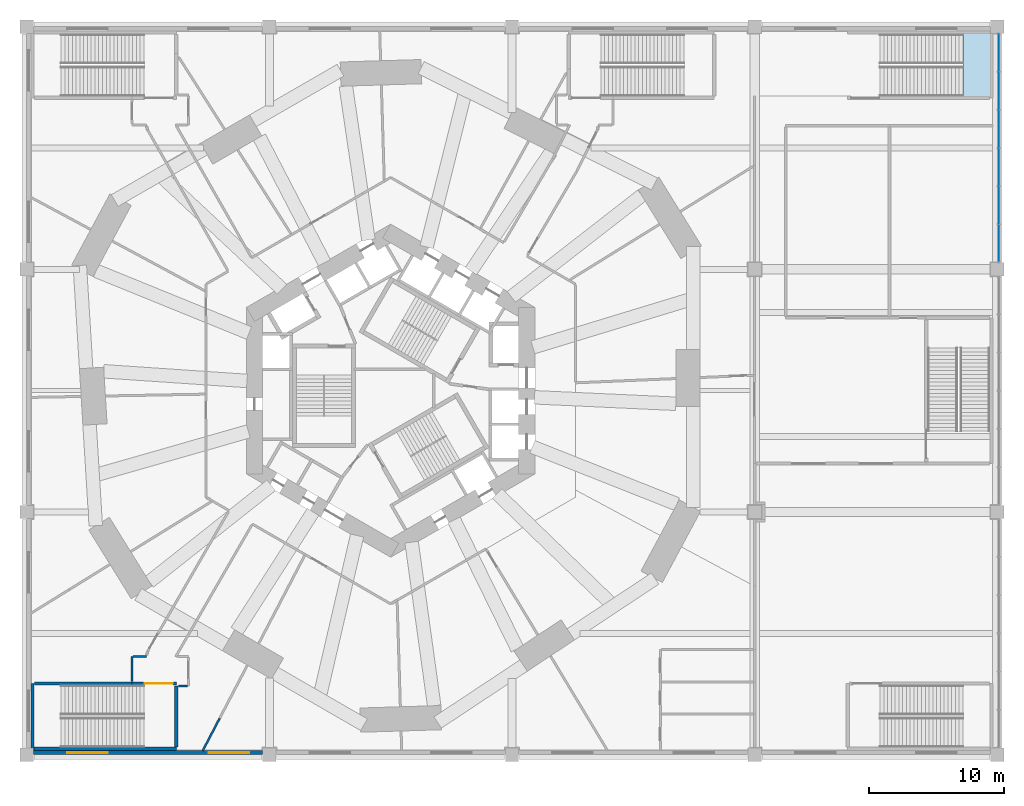
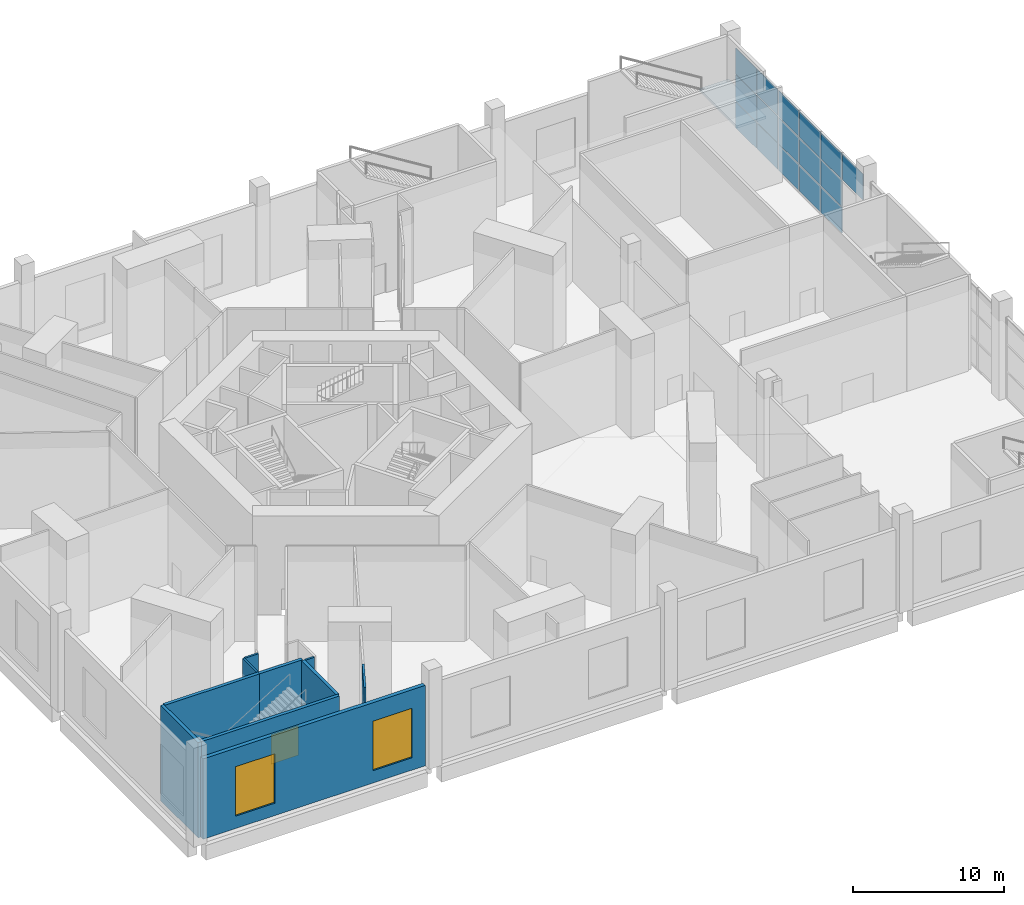
# One storey, part 5 of 15: 16 plates, 10 walls, 2 windows, 1 door, 1 slab, 3 openings, 2 elements without a shape of their own.
"""IFC4 building model written with IfcOpenShell, lengths in metres."""

from ifc_helpers import new_model, si_unit, direction, frame, frame_2d, origin, origin_2d, place, context, subcontext, project, spatial, polyline, rectangle, outline, extrude, material, layer, layer_set, type_object, element, fill, aggregate, save


model = new_model("IFC4")

# Units and contexts
model_context = context("Model", 3, precision=1e-05, world=origin(), true_north=direction((0.0, 1.0)))
body_context = subcontext(model_context, "Body", "Model", "MODEL_VIEW")
ifc_project = project(units=[si_unit("LENGTHUNIT", "METRE"), si_unit("AREAUNIT", "SQUARE_METRE"), si_unit("VOLUMEUNIT", "CUBIC_METRE"), si_unit("PLANEANGLEUNIT", "RADIAN"), si_unit("MASSUNIT", "GRAM", prefix="KILO")], contexts=[model_context])

# Site, building, storey
site_placement = place(None, origin())
site = spatial("IfcSite", under=ifc_project, at=site_placement, CompositionType="ELEMENT")
building_placement = place(site_placement, origin())
building = spatial("IfcBuilding", under=site, at=building_placement, Name="Vanh Sen Convention Tower", CompositionType="ELEMENT")
storey_placement = place(building_placement, frame((0.0, 0.0, 13.0)))
storey = spatial("IfcBuildingStorey", under=building, at=storey_placement, Name="L02", CompositionType="ELEMENT", Elevation=13.0)

# Curtain wall, plates
ifc_material_1 = material(Name="Aluminium structural glazing system", Category="aluminium")
curtain_wall_type = type_object("IfcCurtainWallType", Name="Podium hall structural glazing", PredefinedType="NOTDEFINED", material=ifc_material_1)
curtain_wall_placement = place(storey_placement, origin())
curtain_wall = element("IfcCurtainWall", 1, at=curtain_wall_placement, inside=storey, type_object=curtain_wall_type, Name="Podium hall glazing 3 L02", PredefinedType="NOTDEFINED")
ifc_material_2 = material(Name="Clear toughened safety glass", Category="glass")
ifc_layer_1 = layer(ifc_material_2, 0.031982421875)
ifc_layer_set_1 = layer_set([ifc_layer_1], Name="Clear toughened safety glass")
plate_type = type_object("IfcPlateType", Name="Hall glazing clear glass panel 32", PredefinedType="CURTAIN_PANEL", material=ifc_layer_set_1)
plate_1_placement = place(storey_placement, frame((45.110107421875, 10.93408203125, 4.43505859375), z_axis=(0.0, 0.0, 1.0), x_axis=(0.0, 1.0, 0.0)))
plate_1 = element("IfcPlate", 2, at=plate_1_placement, type_object=plate_type, Name="CW4 panel 1.3", PredefinedType="CURTAIN_PANEL", context=body_context, shape_type="SweptSolid", body=[
    extrude(rectangle(XDim=2.728271484375, YDim=0.031982421875, at=origin_2d()), origin(), (0.0, 0.0, 1.0), 2.094970703125),
])
plate_2_placement = place(storey_placement, frame((45.110107421875, 13.75, 0.06982421875), z_axis=(0.0, 0.0, 1.0), x_axis=(0.0, 1.0, 0.0)))
plate_2 = element("IfcPlate", 3, at=plate_2_placement, type_object=plate_type, Name="CW4 panel 2.1", PredefinedType="CURTAIN_PANEL", context=body_context, shape_type="SweptSolid", body=[
    extrude(rectangle(XDim=2.763427734375, YDim=0.031982421875, at=origin_2d()), origin(), (0.0, 0.0, 1.0), 2.094970703125),
])
plate_3_placement = place(storey_placement, frame((45.110107421875, 13.75, 2.235107421875), z_axis=(0.0, 0.0, 1.0), x_axis=(0.0, 1.0, 0.0)))
plate_3 = element("IfcPlate", 4, at=plate_3_placement, type_object=plate_type, Name="CW4 panel 2.2", PredefinedType="CURTAIN_PANEL", context=body_context, shape_type="SweptSolid", body=[
    extrude(rectangle(XDim=2.763427734375, YDim=0.031982421875, at=origin_2d()), origin(), (0.0, 0.0, 1.0), 2.1298828125),
])
plate_4_placement = place(storey_placement, frame((45.110107421875, 13.75, 4.43505859375), z_axis=(0.0, 0.0, 1.0), x_axis=(0.0, 1.0, 0.0)))
plate_4 = element("IfcPlate", 5, at=plate_4_placement, type_object=plate_type, Name="CW4 panel 2.3", PredefinedType="CURTAIN_PANEL", context=body_context, shape_type="SweptSolid", body=[
    extrude(rectangle(XDim=2.763427734375, YDim=0.031982421875, at=origin_2d()), origin(), (0.0, 0.0, 1.0), 2.094970703125),
])
plate_5_placement = place(storey_placement, frame((45.110107421875, 16.583251953125, 0.06982421875), z_axis=(0.0, 0.0, 1.0), x_axis=(0.0, 1.0, 0.0)))
plate_5 = element("IfcPlate", 6, at=plate_5_placement, type_object=plate_type, Name="CW4 panel 3.1", PredefinedType="CURTAIN_PANEL", context=body_context, shape_type="SweptSolid", body=[
    extrude(rectangle(XDim=2.763427734375, YDim=0.031982421875, at=origin_2d()), origin(), (0.0, 0.0, 1.0), 2.094970703125),
])
plate_6_placement = place(storey_placement, frame((45.110107421875, 16.583251953125, 2.235107421875), z_axis=(0.0, 0.0, 1.0), x_axis=(0.0, 1.0, 0.0)))
plate_6 = element("IfcPlate", 7, at=plate_6_placement, type_object=plate_type, Name="CW4 panel 3.2", PredefinedType="CURTAIN_PANEL", context=body_context, shape_type="SweptSolid", body=[
    extrude(rectangle(XDim=2.763427734375, YDim=0.031982421875, at=origin_2d()), origin(), (0.0, 0.0, 1.0), 2.1298828125),
])
plate_7_placement = place(storey_placement, frame((45.110107421875, 16.583251953125, 4.43505859375), z_axis=(0.0, 0.0, 1.0), x_axis=(0.0, 1.0, 0.0)))
plate_7 = element("IfcPlate", 8, at=plate_7_placement, type_object=plate_type, Name="CW4 panel 3.3", PredefinedType="CURTAIN_PANEL", context=body_context, shape_type="SweptSolid", body=[
    extrude(rectangle(XDim=2.763427734375, YDim=0.031982421875, at=origin_2d()), origin(), (0.0, 0.0, 1.0), 2.094970703125),
])
plate_8_placement = place(storey_placement, frame((45.110107421875, 19.416748046875, 0.06982421875), z_axis=(0.0, 0.0, 1.0), x_axis=(0.0, 1.0, 0.0)))
plate_8 = element("IfcPlate", 9, at=plate_8_placement, type_object=plate_type, Name="CW4 panel 4.1", PredefinedType="CURTAIN_PANEL", context=body_context, shape_type="SweptSolid", body=[
    extrude(rectangle(XDim=2.763427734375, YDim=0.031982421875, at=origin_2d()), origin(), (0.0, 0.0, 1.0), 2.094970703125),
])
plate_9_placement = place(storey_placement, frame((45.110107421875, 19.416748046875, 2.235107421875), z_axis=(0.0, 0.0, 1.0), x_axis=(0.0, 1.0, 0.0)))
plate_9 = element("IfcPlate", 10, at=plate_9_placement, type_object=plate_type, Name="CW4 panel 4.2", PredefinedType="CURTAIN_PANEL", context=body_context, shape_type="SweptSolid", body=[
    extrude(rectangle(XDim=2.763427734375, YDim=0.031982421875, at=origin_2d()), origin(), (0.0, 0.0, 1.0), 2.1298828125),
])
plate_10_placement = place(storey_placement, frame((45.110107421875, 19.416748046875, 4.43505859375), z_axis=(0.0, 0.0, 1.0), x_axis=(0.0, 1.0, 0.0)))
plate_10 = element("IfcPlate", 11, at=plate_10_placement, type_object=plate_type, Name="CW4 panel 4.3", PredefinedType="CURTAIN_PANEL", context=body_context, shape_type="SweptSolid", body=[
    extrude(rectangle(XDim=2.763427734375, YDim=0.031982421875, at=origin_2d()), origin(), (0.0, 0.0, 1.0), 2.094970703125),
])
plate_11_placement = place(storey_placement, frame((45.110107421875, 22.25, 0.06982421875), z_axis=(0.0, 0.0, 1.0), x_axis=(0.0, 1.0, 0.0)))
plate_11 = element("IfcPlate", 12, at=plate_11_placement, type_object=plate_type, Name="CW4 panel 5.1", PredefinedType="CURTAIN_PANEL", context=body_context, shape_type="SweptSolid", body=[
    extrude(rectangle(XDim=2.763427734375, YDim=0.031982421875, at=origin_2d()), origin(), (0.0, 0.0, 1.0), 2.094970703125),
])
plate_12_placement = place(storey_placement, frame((45.110107421875, 22.25, 2.235107421875), z_axis=(0.0, 0.0, 1.0), x_axis=(0.0, 1.0, 0.0)))
plate_12 = element("IfcPlate", 13, at=plate_12_placement, type_object=plate_type, Name="CW4 panel 5.2", PredefinedType="CURTAIN_PANEL", context=body_context, shape_type="SweptSolid", body=[
    extrude(rectangle(XDim=2.763427734375, YDim=0.031982421875, at=origin_2d()), origin(), (0.0, 0.0, 1.0), 2.1298828125),
])
plate_13_placement = place(storey_placement, frame((45.110107421875, 22.25, 4.43505859375), z_axis=(0.0, 0.0, 1.0), x_axis=(0.0, 1.0, 0.0)))
plate_13 = element("IfcPlate", 14, at=plate_13_placement, type_object=plate_type, Name="CW4 panel 5.3", PredefinedType="CURTAIN_PANEL", context=body_context, shape_type="SweptSolid", body=[
    extrude(rectangle(XDim=2.763427734375, YDim=0.031982421875, at=origin_2d()), origin(), (0.0, 0.0, 1.0), 2.094970703125),
])
plate_14_placement = place(storey_placement, frame((45.110107421875, 25.06591796875, 0.06982421875), z_axis=(0.0, 0.0, 1.0), x_axis=(0.0, 1.0, 0.0)))
plate_14 = element("IfcPlate", 15, at=plate_14_placement, type_object=plate_type, Name="CW4 panel 6.1", PredefinedType="CURTAIN_PANEL", context=body_context, shape_type="SweptSolid", body=[
    extrude(rectangle(XDim=2.728271484375, YDim=0.031982421875, at=origin_2d()), origin(), (0.0, 0.0, 1.0), 2.094970703125),
])
plate_15_placement = place(storey_placement, frame((45.110107421875, 25.06591796875, 2.235107421875), z_axis=(0.0, 0.0, 1.0), x_axis=(0.0, 1.0, 0.0)))
plate_15 = element("IfcPlate", 16, at=plate_15_placement, type_object=plate_type, Name="CW4 panel 6.2", PredefinedType="CURTAIN_PANEL", context=body_context, shape_type="SweptSolid", body=[
    extrude(rectangle(XDim=2.728271484375, YDim=0.031982421875, at=origin_2d()), origin(), (0.0, 0.0, 1.0), 2.1298828125),
])
plate_16_placement = place(storey_placement, frame((45.110107421875, 25.06591796875, 4.43505859375), z_axis=(0.0, 0.0, 1.0), x_axis=(0.0, 1.0, 0.0)))
plate_16 = element("IfcPlate", 17, at=plate_16_placement, type_object=plate_type, Name="CW4 panel 6.3", PredefinedType="CURTAIN_PANEL", context=body_context, shape_type="SweptSolid", body=[
    extrude(rectangle(XDim=2.728271484375, YDim=0.031982421875, at=origin_2d()), origin(), (0.0, 0.0, 1.0), 2.094970703125),
])
aggregate(curtain_wall, [plate_1, plate_2, plate_3, plate_4, plate_5, plate_6, plate_7, plate_8, plate_9, plate_10, plate_11, plate_12, plate_13, plate_14, plate_15, plate_16])

# Stair, slab
ifc_material_3 = material(Name="Concrete C40/50", Category="concrete")
stair_type = type_object("IfcStairType", Name="Podium exit stair 2200", PredefinedType="HALF_TURN_STAIR", material=ifc_material_3)
stair_placement = place(storey_placement, origin())
stair = element("IfcStair", 18, at=stair_placement, inside=storey, type_object=stair_type, Name="Exit stair PS1 L02", PredefinedType="HALF_TURN_STAIR")
ifc_layer_2 = layer(ifc_material_3, 0.199951171875)
ifc_layer_set_2 = layer_set([ifc_layer_2], Name="Concrete C40/50")
slab_type = type_object("IfcSlabType", Name="Podium stair landing 200", PredefinedType="LANDING", material=ifc_layer_set_2)
slab_placement = place(storey_placement, frame((0.0, 0.0, 3.800048828125)))
slab = element("IfcSlab", 19, at=slab_placement, type_object=slab_type, Name="PS1 landing 1", PredefinedType="LANDING", context=body_context, shape_type="SweptSolid", body=[
    extrude(outline(polyline([(42.459228515625, 21.72509765625), (44.699951171875, 21.72509765625), (44.699951171875, 26.699951171875), (42.459228515625, 26.699951171875), (42.459228515625, 21.72509765625)])), origin(), (0.0, 0.0, 1.0), 0.199951171875),
])
aggregate(stair, [slab])

# Walls
ifc_layer_3 = layer(ifc_material_3, 0.25)
ifc_layer_set_3 = layer_set([ifc_layer_3], Name="Concrete C40/50")
wall_type_1 = type_object("IfcWallType", Name="Concrete wall 250 REI 180", PredefinedType="SOLIDWALL", material=ifc_layer_set_3)
wall_1_placement = place(storey_placement, frame((-15.89990234375, -21.925048828125, 0.0), z_axis=(0.0, 0.0, 1.0), x_axis=(0.0, -1.0, 0.0)))
element("IfcWall", 20, at=wall_1_placement, inside=storey, type_object=wall_type_1, Name="Fire-resisting wall L02-010", PredefinedType="SOLIDWALL", context=body_context, shape_type="SweptSolid", body=[
    extrude(rectangle(XDim=4.514892578125, YDim=0.25, at=frame_2d((2.25732421875, 0.0))), origin(), (0.0, 0.0, 1.0), 7.699951171875),
])
wall_2_placement = place(storey_placement, frame((-26.43994140625, -21.72509765625, 0.0), z_axis=(0.0, 0.0, 1.0), x_axis=(1.0, 0.0, 0.0)))
element("IfcWall", 21, at=wall_2_placement, inside=storey, type_object=wall_type_1, Name="Fire-resisting wall L02-012", PredefinedType="SOLIDWALL", context=body_context, shape_type="SweptSolid", body=[
    extrude(rectangle(XDim=7.239990234375, YDim=0.25, at=frame_2d((3.6201171875, 0.0))), origin(), (0.0, 0.0, 1.0), 7.699951171875),
])

# Wall, opening, door
wall_3_placement = place(storey_placement, frame((-19.199951171875, -21.72509765625, 0.0), z_axis=(0.0, 0.0, 1.0), x_axis=(1.0, 0.0, 0.0)))
wall_3 = element("IfcWall", 22, at=wall_3_placement, inside=storey, type_object=wall_type_1, Name="Fire-resisting wall L02-013", PredefinedType="SOLIDWALL", context=body_context, shape_type="SweptSolid", body=[
    extrude(rectangle(XDim=3.300048828125, YDim=0.25, at=frame_2d((1.64990234375, 0.0))), origin(), (0.0, 0.0, 1.0), 7.699951171875),
])
opening_1_placement = place(wall_3_placement, frame((0.949951171875, 0.0, 0.0)))
opening_1 = element("IfcOpeningElement", 23, at=opening_1_placement, cuts=wall_3, Name="Opening D02103", PredefinedType="OPENING", context=body_context, shape_type="SweptSolid", body=[
    extrude(rectangle(XDim=2.10009765625, YDim=2.39990234375, at=frame_2d((1.050048828125, 1.199951171875))), frame((0.0, 0.135009765625, 0.0), z_axis=(0.0, -1.0, 0.0), x_axis=(1.0, 0.0, 0.0)), (0.0, 0.0, 1.0), 0.27001953125),
])
ifc_material_4 = material(Name="Steel S355", Category="steel")
door_type = type_object("IfcDoorType", Name="Stair door 2100 EI 60", OperationType="DOUBLE_DOOR_SINGLE_SWING", PredefinedType="DOOR", material=ifc_material_4)
door_placement = place(opening_1_placement, frame((2.10009765625, 0.0, 0.0), z_axis=(0.0, 0.0, 1.0), x_axis=(-1.0, 0.0, 0.0)))
door = element("IfcDoor", 24, at=door_placement, inside=storey, type_object=door_type, Name="Stair door D02103", OperationType="DOUBLE_DOOR_SINGLE_SWING", OverallHeight=2.39990234375, OverallWidth=2.10009765625, PredefinedType="DOOR", context=body_context, shape_type="SweptSolid", body=[
    extrude(rectangle(XDim=2.10009765625, YDim=2.39990234375, at=frame_2d((1.050048828125, 1.199951171875))), frame((0.0, 0.02490234375, 0.0), z_axis=(0.0, -1.0, 0.0), x_axis=(1.0, 0.0, 0.0)), (0.0, 0.0, 1.0), 0.050048828125),
])
fill(opening_1, door)

# Walls
wall_4_placement = place(storey_placement, frame((-26.574951171875, -21.72509765625, 0.0), z_axis=(0.0, 0.0, 1.0), x_axis=(0.0, -1.0, 0.0)))
element("IfcWall", 25, at=wall_4_placement, inside=storey, type_object=wall_type_1, Name="Stair enclosure wall PS6 L02", PredefinedType="SOLIDWALL", context=body_context, shape_type="SweptSolid", body=[
    extrude(rectangle(XDim=4.974853515625, YDim=0.25, at=frame_2d((2.4873046875, 0.0))), origin(), (0.0, 0.0, 1.0), 7.699951171875),
])
wall_5_placement = place(storey_placement, frame((-26.449951171875, -26.574951171875, 0.0), z_axis=(0.0, 0.0, 1.0), x_axis=(1.0, 0.0, 0.0)))
element("IfcWall", 26, at=wall_5_placement, inside=storey, type_object=wall_type_1, Name="Stair enclosure wall PS6 L02", PredefinedType="SOLIDWALL", context=body_context, shape_type="SweptSolid", body=[
    extrude(rectangle(XDim=10.550048828125, YDim=0.25, at=frame_2d((5.27490234375, 0.0))), origin(), (0.0, 0.0, 1.0), 7.699951171875),
])
ifc_material_5 = material(Name="Gypsum board on steel studs", Category="steel")
ifc_layer_4 = layer(ifc_material_5, 0.14990234375)
ifc_layer_set_4 = layer_set([ifc_layer_4], Name="Gypsum board on steel studs")
wall_type_2 = type_object("IfcWallType", Name="Partition 150 EI 60", PredefinedType="PARTITIONING", material=ifc_layer_set_4)
wall_6_placement = place(storey_placement, frame((-12.685546875, -24.300048828125, 0.0), z_axis=(0.0, 0.0, 1.0), x_axis=(-0.462800215564, -0.886462610872, 0.0)))
element("IfcWall", 27, at=wall_6_placement, inside=storey, type_object=wall_type_2, Name="Partition L02-005", PredefinedType="PARTITIONING", context=body_context, shape_type="SweptSolid", body=[
    extrude(rectangle(XDim=2.707275390625, YDim=0.14990234375, at=frame_2d((1.353515625, 0.0))), origin(), (0.0, 0.0, 1.0), 7.699951171875),
])
wall_7_placement = place(storey_placement, frame((-15.080078125, -21.925048828125, 0.0), z_axis=(0.0, 0.0, 1.0), x_axis=(-1.0, 0.0, 0.0)))
element("IfcWall", 28, at=wall_7_placement, inside=storey, type_object=wall_type_2, Name="Partition L02-011", PredefinedType="PARTITIONING", context=body_context, shape_type="SweptSolid", body=[
    extrude(rectangle(XDim=0.679931640625, YDim=0.14990234375, at=frame_2d((0.33984375, 0.0))), origin(), (0.0, 0.0, 1.0), 7.699951171875),
])
wall_8_placement = place(storey_placement, frame((-19.199951171875, -21.5849609375, 0.0), z_axis=(0.0, 0.0, 1.0), x_axis=(0.0, 1.0, 0.0)))
element("IfcWall", 29, at=wall_8_placement, inside=storey, type_object=wall_type_2, Name="Partition L02-018", PredefinedType="PARTITIONING", context=body_context, shape_type="SweptSolid", body=[
    extrude(rectangle(XDim=1.85986328125, YDim=0.14990234375, at=frame_2d((0.929931640625, 0.0))), origin(), (0.0, 0.0, 1.0), 7.699951171875),
])
wall_9_placement = place(storey_placement, frame((-19.1201171875, -19.72509765625, 0.0), z_axis=(0.0, 0.0, 1.0), x_axis=(1.0, 0.0, 0.0)))
element("IfcWall", 30, at=wall_9_placement, inside=storey, type_object=wall_type_2, Name="Partition L02-020", PredefinedType="PARTITIONING", context=body_context, shape_type="SweptSolid", body=[
    extrude(rectangle(XDim=1.02001953125, YDim=0.14990234375, at=frame_2d((0.510009765625, 0.0))), origin(), (0.0, 0.0, 1.0), 7.699951171875),
])

# Wall, openings, windows
ifc_material_6 = material(Name="Concrete C50/60", Category="concrete")
ifc_layer_5 = layer(ifc_material_6, 0.300048828125)
ifc_layer_set_5 = layer_set([ifc_layer_5], Name="Concrete C50/60")
wall_type_3 = type_object("IfcWallType", Name="Podium wall 300", PredefinedType="STANDARD", material=ifc_layer_set_5)
wall_10_placement = place(storey_placement, frame((-26.5, -26.85009765625, 0.0), z_axis=(0.0, 0.0, 1.0), x_axis=(1.0, 0.0, 0.0)))
wall_10 = element("IfcWall", 31, at=wall_10_placement, inside=storey, type_object=wall_type_3, Name="Podium wall S1 L02", PredefinedType="STANDARD", context=body_context, shape_type="SweptSolid", body=[
    extrude(rectangle(XDim=17.0, YDim=0.300048828125, at=frame_2d((8.5, 0.0))), origin(), (0.0, 0.0, 1.0), 6.5),
])
opening_2_placement = place(wall_10_placement, frame((2.5, 0.0, 1.0)))
opening_2 = element("IfcOpeningElement", 32, at=opening_2_placement, cuts=wall_10, Name="Opening WP3-S1", PredefinedType="OPENING", context=body_context, shape_type="SweptSolid", body=[
    extrude(rectangle(XDim=3.0, YDim=4.0, at=frame_2d((1.5, 2.0))), frame((0.0, 0.159912109375, 0.0), z_axis=(0.0, -1.0, 0.0), x_axis=(1.0, 0.0, 0.0)), (0.0, 0.0, 1.0), 0.320068359375),
])
opening_3_placement = place(wall_10_placement, frame((13.0, 0.0, 1.0)))
opening_3 = element("IfcOpeningElement", 33, at=opening_3_placement, cuts=wall_10, Name="Opening WP3-S2", PredefinedType="OPENING", context=body_context, shape_type="SweptSolid", body=[
    extrude(rectangle(XDim=3.0, YDim=4.0, at=frame_2d((1.5, 2.0))), frame((0.0, 0.159912109375, 0.0), z_axis=(0.0, -1.0, 0.0), x_axis=(1.0, 0.0, 0.0)), (0.0, 0.0, 1.0), 0.320068359375),
])
ifc_material_7 = material(Name="Aluminium frame with clear low-emissivity glass", Category="aluminium")
window_type = type_object("IfcWindowType", Name="Podium window 3000 x 4000", PartitioningType="SINGLE_PANEL", PredefinedType="WINDOW", material=ifc_material_7)
window_1_placement = place(opening_2_placement, origin())
window_1 = element("IfcWindow", 34, at=window_1_placement, inside=storey, type_object=window_type, Name="Window WP3-S1", OverallHeight=4.0, OverallWidth=3.0, PartitioningType="SINGLE_PANEL", PredefinedType="WINDOW", context=body_context, shape_type="SweptSolid", body=[
    extrude(rectangle(XDim=3.0, YDim=4.0, at=frame_2d((1.5, 2.0))), frame((0.0, 0.030029296875, 0.0), z_axis=(0.0, -1.0, 0.0), x_axis=(1.0, 0.0, 0.0)), (0.0, 0.0, 1.0), 0.06005859375),
])
fill(opening_2, window_1)
window_2_placement = place(opening_3_placement, origin())
window_2 = element("IfcWindow", 35, at=window_2_placement, inside=storey, type_object=window_type, Name="Window WP3-S2", OverallHeight=4.0, OverallWidth=3.0, PartitioningType="SINGLE_PANEL", PredefinedType="WINDOW", context=body_context, shape_type="SweptSolid", body=[
    extrude(rectangle(XDim=3.0, YDim=4.0, at=frame_2d((1.5, 2.0))), frame((0.0, 0.030029296875, 0.0), z_axis=(0.0, -1.0, 0.0), x_axis=(1.0, 0.0, 0.0)), (0.0, 0.0, 1.0), 0.06005859375),
])
fill(opening_3, window_2)

save(model, "model.ifc")
